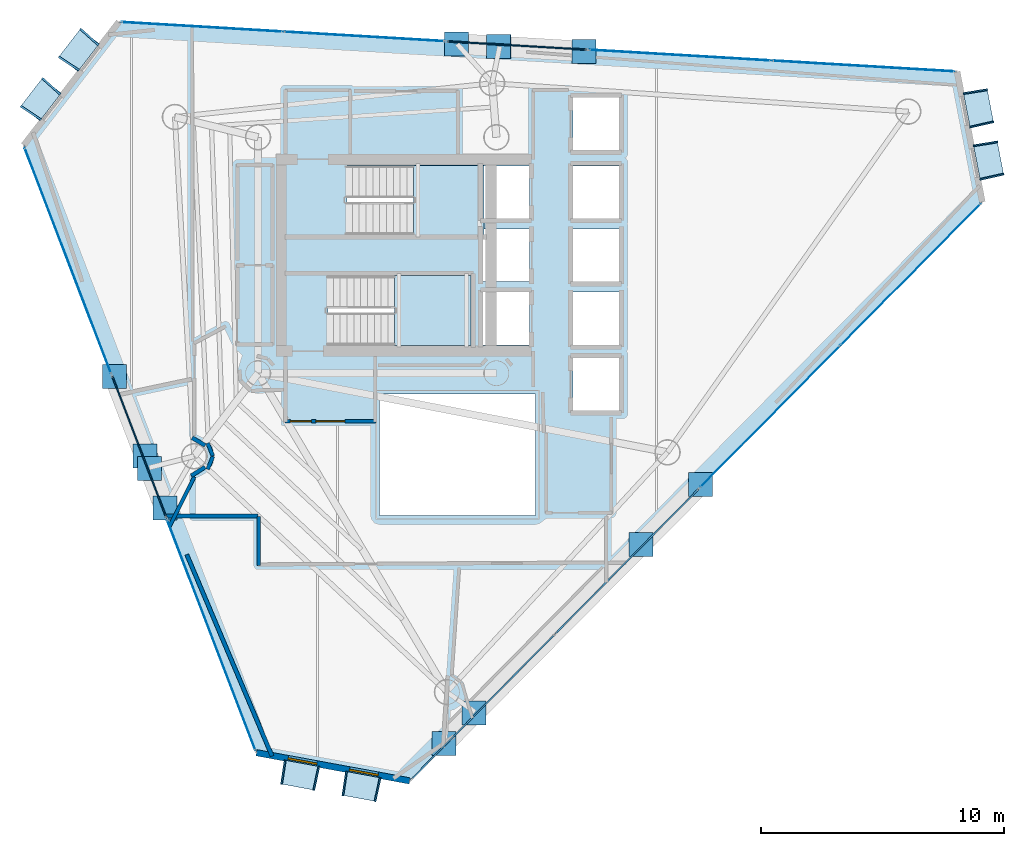
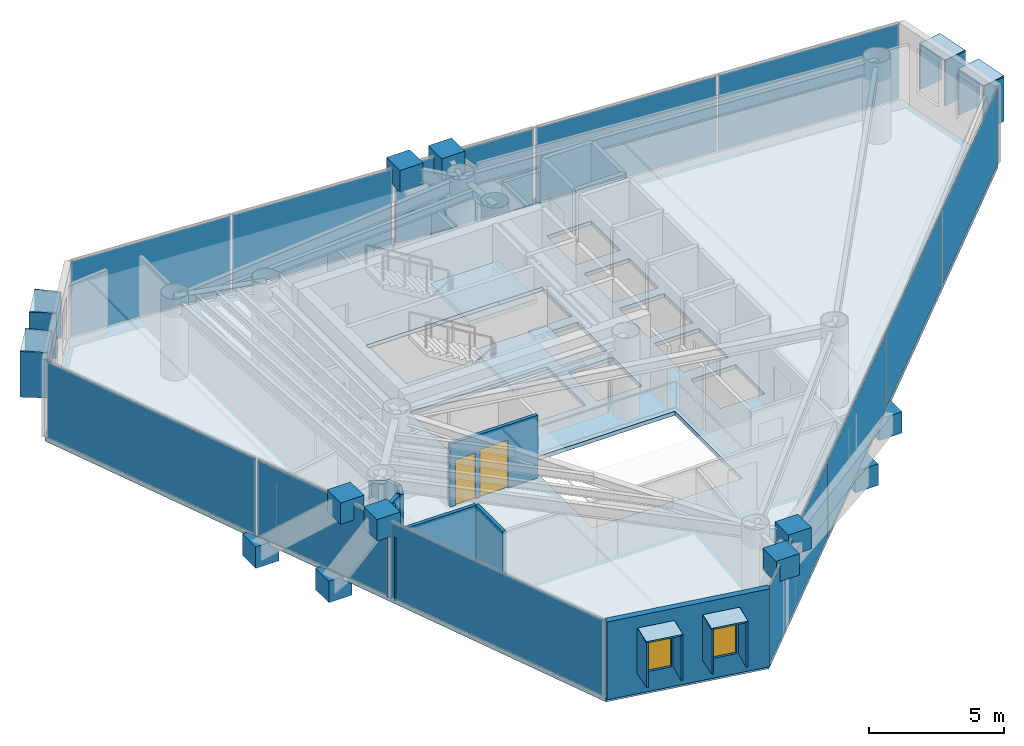
# One storey, part 15 of 20: 42 plates, 10 walls, 3 slabs, 2 doors, 2 windows, 4 openings, 10 elements without a shape of their own.
"""IFC4 building model written with IfcOpenShell, lengths in metres."""

from ifc_helpers import new_model, si_unit, direction, frame, frame_2d, origin, origin_2d, place, context, subcontext, project, spatial, polyline, rectangle, outline, extrude, material, layer, layer_set, type_object, element, fill, aggregate, save


model = new_model("IFC4")

# Units and contexts
model_context = context("Model", 3, precision=1e-05, world=origin(), true_north=direction((0.0, 1.0)))
body_context = subcontext(model_context, "Body", "Model", "MODEL_VIEW")
ifc_project = project(units=[si_unit("LENGTHUNIT", "METRE"), si_unit("AREAUNIT", "SQUARE_METRE"), si_unit("VOLUMEUNIT", "CUBIC_METRE"), si_unit("PLANEANGLEUNIT", "RADIAN"), si_unit("MASSUNIT", "GRAM", prefix="KILO")], contexts=[model_context])

# Site, building, storey
site_placement = place(None, origin())
site = spatial("IfcSite", under=ifc_project, at=site_placement, CompositionType="ELEMENT")
building_placement = place(site_placement, origin())
building = spatial("IfcBuilding", under=site, at=building_placement, Name="Qianvela Tower", CompositionType="ELEMENT")
storey_placement = place(building_placement, frame((0.0, 0.0, 239.0)))
storey = spatial("IfcBuildingStorey", under=building, at=storey_placement, Name="L61", CompositionType="ELEMENT", Elevation=239.0)

# Curtain wall, plate
ifc_material_1 = material(Name="Anodised Architectural Aluminium and Insulated Spandrel Panel", Category="aluminium")
ifc_layer_1 = layer(ifc_material_1, 0.179931640625)
ifc_layer_set_1 = layer_set([ifc_layer_1], Name="Anodised Architectural Aluminium and Insulated Spandrel Panel")
curtain_wall_type_1 = type_object("IfcCurtainWallType", Name="CW-BRACEBAY", PredefinedType="USERDEFINED", material=ifc_layer_set_1)
curtain_wall_1_placement = place(storey_placement, origin())
curtain_wall_1 = element("IfcCurtainWall", 1, at=curtain_wall_1_placement, inside=storey, type_object=curtain_wall_type_1, Name="L61 CW-BRACEBAY Curtain Wall 02B", ObjectType="CURTAIN_WALL_SYSTEM", PredefinedType="USERDEFINED")
ifc_material_2 = material(Name="Insulated Aluminium Spandrel Panel with Mineral-Wool Backpan", Category="aluminium")
ifc_layer_2 = layer(ifc_material_2, 0.06005859375)
ifc_layer_set_2 = layer_set([ifc_layer_2], Name="Insulated Aluminium Spandrel Panel with Mineral-Wool Backpan")
plate_type_1 = type_object("IfcPlateType", Name="CW-BRACEBAY-PNL", PredefinedType="CURTAIN_PANEL", material=ifc_layer_set_2)
plate_1_placement = place(storey_placement, frame((39.24462890625, 37.32275390625, 0.06494140625), z_axis=(0.0, 0.0, 1.0), x_axis=(-0.998246521909, 0.059193593372, 0.0)))
plate_1 = element("IfcPlate", 2, at=plate_1_placement, type_object=plate_type_1, Name="CW-9 panel 1.1", PredefinedType="CURTAIN_PANEL", context=body_context, shape_type="SweptSolid", body=[
    extrude(rectangle(XDim=5.699951171875, YDim=0.06005859375, at=origin_2d()), origin(), (0.0, 0.0, 1.0), 3.389892578125),
])
aggregate(curtain_wall_1, [plate_1])

curtain_wall_2_placement = place(storey_placement, origin())
curtain_wall_2 = element("IfcCurtainWall", 3, at=curtain_wall_2_placement, inside=storey, type_object=curtain_wall_type_1, Name="L61 CW-BRACEBAY Curtain Wall 04B", ObjectType="CURTAIN_WALL_SYSTEM", PredefinedType="USERDEFINED")
plate_2_placement = place(storey_placement, frame((23.713134765625, 20.833740234375, 0.06494140625), z_axis=(0.0, 0.0, 1.0), x_axis=(0.357712634135, -0.9338317147, 0.0)))
plate_2 = element("IfcPlate", 4, at=plate_2_placement, type_object=plate_type_1, Name="CW-9 panel 1.1", PredefinedType="CURTAIN_PANEL", context=body_context, shape_type="SweptSolid", body=[
    extrude(rectangle(XDim=6.199951171875, YDim=0.06005859375, at=origin_2d()), origin(), (0.0, 0.0, 1.0), 3.389892578125),
])
aggregate(curtain_wall_2, [plate_2])

# Curtain wall, plates
curtain_wall_3_placement = place(storey_placement, origin())
curtain_wall_3 = element("IfcCurtainWall", 5, at=curtain_wall_3_placement, inside=storey, type_object=curtain_wall_type_1, Name="L61 CW-BRACEBAY Curtain Wall 06A", ObjectType="CURTAIN_WALL_SYSTEM", PredefinedType="USERDEFINED")
plate_3_placement = place(storey_placement, frame((37.849853515625, 10.134033203125, 0.06494140625), z_axis=(0.0, 0.0, 1.0), x_axis=(0.703230682905, 0.71096174765, 0.0)))
plate_3 = element("IfcPlate", 6, at=plate_3_placement, type_object=plate_type_1, Name="CW-9 panel 1.1", PredefinedType="CURTAIN_PANEL", context=body_context, shape_type="SweptSolid", body=[
    extrude(rectangle(XDim=8.342529296875, YDim=0.06005859375, at=origin_2d()), origin(), (0.0, 0.0, 1.0), 3.389892578125),
])
plate_4_placement = place(storey_placement, frame((43.76220703125, 16.111572265625, 0.06494140625), z_axis=(0.0, 0.0, 1.0), x_axis=(0.703230682905, 0.71096174765, 0.0)))
plate_4 = element("IfcPlate", 7, at=plate_4_placement, type_object=plate_type_1, Name="CW-9 panel 2.1", PredefinedType="CURTAIN_PANEL", context=body_context, shape_type="SweptSolid", body=[
    extrude(rectangle(XDim=8.342529296875, YDim=0.06005859375, at=origin_2d()), origin(), (0.0, 0.0, 1.0), 3.389892578125),
])
aggregate(curtain_wall_3, [plate_3, plate_4])

ifc_material_3 = material(Name="Anodised Architectural Aluminium and Low-E Glass", Category="aluminium")
ifc_layer_3 = layer(ifc_material_3, 0.159912109375)
ifc_layer_set_3 = layer_set([ifc_layer_3], Name="Anodised Architectural Aluminium and Low-E Glass")
curtain_wall_type_2 = type_object("IfcCurtainWallType", Name="CW-COLIV-Z56", PredefinedType="USERDEFINED", material=ifc_layer_set_3)
curtain_wall_4_placement = place(storey_placement, origin())
curtain_wall_4 = element("IfcCurtainWall", 8, at=curtain_wall_4_placement, inside=storey, type_object=curtain_wall_type_2, Name="L61 CW-COLIV-Z56 Curtain Wall 02A", ObjectType="CURTAIN_WALL_SYSTEM", PredefinedType="USERDEFINED")
ifc_material_4 = material(Name="Double-Silver Low-E Insulated Glass", Category="glass")
ifc_layer_4 = layer(ifc_material_4, 0.028076171875)
ifc_layer_set_4 = layer_set([ifc_layer_4], Name="Double-Silver Low-E Insulated Glass")
plate_type_2 = type_object("IfcPlateType", Name="CW-COLIV-Z56-PNL", PredefinedType="CURTAIN_PANEL", material=ifc_layer_set_4)
plate_5_placement = place(storey_placement, frame((53.488525390625, 36.478271484375, 0.06005859375), z_axis=(0.0, 0.0, 1.0), x_axis=(-0.998247199473, 0.059182165757, 0.0)))
plate_5 = element("IfcPlate", 9, at=plate_5_placement, type_object=plate_type_2, Name="CW-5 panel 1.1", PredefinedType="CURTAIN_PANEL", context=body_context, shape_type="SweptSolid", body=[
    extrude(rectangle(XDim=7.482421875, YDim=0.028076171875, at=origin_2d()), origin(), (0.0, 0.0, 1.0), 3.39990234375),
])
plate_6_placement = place(storey_placement, frame((45.9541015625, 36.9248046875, 0.06005859375), z_axis=(0.0, 0.0, 1.0), x_axis=(-0.998247199473, 0.059182165757, 0.0)))
plate_6 = element("IfcPlate", 10, at=plate_6_placement, type_object=plate_type_2, Name="CW-5 panel 2.1", PredefinedType="CURTAIN_PANEL", context=body_context, shape_type="SweptSolid", body=[
    extrude(rectangle(XDim=7.482421875, YDim=0.028076171875, at=origin_2d()), origin(), (0.0, 0.0, 1.0), 3.39990234375),
])
aggregate(curtain_wall_4, [plate_5, plate_6])

curtain_wall_5_placement = place(storey_placement, origin())
curtain_wall_5 = element("IfcCurtainWall", 11, at=curtain_wall_5_placement, inside=storey, type_object=curtain_wall_type_2, Name="L61 CW-COLIV-Z56 Curtain Wall 02C", ObjectType="CURTAIN_WALL_SYSTEM", PredefinedType="USERDEFINED")
plate_7_placement = place(storey_placement, frame((32.9677734375, 37.69482421875, 0.06005859375), z_axis=(0.0, 0.0, 1.0), x_axis=(-0.998247327726, 0.059180002432, 0.0)))
plate_7 = element("IfcPlate", 12, at=plate_7_placement, type_object=plate_type_2, Name="CW-5 panel 1.1", PredefinedType="CURTAIN_PANEL", context=body_context, shape_type="SweptSolid", body=[
    extrude(rectangle(XDim=6.615966796875, YDim=0.028076171875, at=origin_2d()), origin(), (0.0, 0.0, 1.0), 3.39990234375),
])
plate_8_placement = place(storey_placement, frame((26.298583984375, 38.090087890625, 0.06005859375), z_axis=(0.0, 0.0, 1.0), x_axis=(-0.998247327726, 0.059180002432, 0.0)))
plate_8 = element("IfcPlate", 13, at=plate_8_placement, type_object=plate_type_2, Name="CW-5 panel 2.1", PredefinedType="CURTAIN_PANEL", context=body_context, shape_type="SweptSolid", body=[
    extrude(rectangle(XDim=6.615966796875, YDim=0.028076171875, at=origin_2d()), origin(), (0.0, 0.0, 1.0), 3.39990234375),
])
aggregate(curtain_wall_5, [plate_7, plate_8])

# Curtain wall, plate
curtain_wall_6_placement = place(storey_placement, origin())
curtain_wall_6 = element("IfcCurtainWall", 14, at=curtain_wall_6_placement, inside=storey, type_object=curtain_wall_type_2, Name="L61 CW-COLIV-Z56 Curtain Wall 04A", ObjectType="CURTAIN_WALL_SYSTEM", PredefinedType="USERDEFINED")
plate_9_placement = place(storey_placement, frame((20.783447265625, 28.481689453125, 0.06005859375), z_axis=(0.0, 0.0, 1.0), x_axis=(0.357720562482, -0.933828677637, 0.0)))
plate_9 = element("IfcPlate", 15, at=plate_9_placement, type_object=plate_type_2, Name="CW-5 panel 1.1", PredefinedType="CURTAIN_PANEL", context=body_context, shape_type="SweptSolid", body=[
    extrude(rectangle(XDim=9.919921875, YDim=0.028076171875, at=origin_2d()), origin(), (0.0, 0.0, 1.0), 3.39990234375),
])
aggregate(curtain_wall_6, [plate_9])

curtain_wall_7_placement = place(storey_placement, origin())
curtain_wall_7 = element("IfcCurtainWall", 16, at=curtain_wall_7_placement, inside=storey, type_object=curtain_wall_type_2, Name="L61 CW-COLIV-Z56 Curtain Wall 04C", ObjectType="CURTAIN_WALL_SYSTEM", PredefinedType="USERDEFINED")
plate_10_placement = place(storey_placement, frame((26.681396484375, 13.08544921875, 0.06005859375), z_axis=(0.0, 0.0, 1.0), x_axis=(0.357718127127, -0.933829610542, 0.0)))
plate_10 = element("IfcPlate", 17, at=plate_10_placement, type_object=plate_type_2, Name="CW-5 panel 1.1", PredefinedType="CURTAIN_PANEL", context=body_context, shape_type="SweptSolid", body=[
    extrude(rectangle(XDim=10.134521484375, YDim=0.028076171875, at=origin_2d()), origin(), (0.0, 0.0, 1.0), 3.39990234375),
])
aggregate(curtain_wall_7, [plate_10])

# Curtain wall, plates
curtain_wall_8_placement = place(storey_placement, origin())
curtain_wall_8 = element("IfcCurtainWall", 18, at=curtain_wall_8_placement, inside=storey, type_object=curtain_wall_type_2, Name="L61 CW-COLIV-Z56 Curtain Wall 06B", ObjectType="CURTAIN_WALL_SYSTEM", PredefinedType="USERDEFINED")
plate_11_placement = place(storey_placement, frame((49.652099609375, 22.06640625, 0.06005859375), z_axis=(0.0, 0.0, 1.0), x_axis=(0.703230911211, 0.710961521826, 0.0)))
plate_11 = element("IfcPlate", 19, at=plate_11_placement, type_object=plate_type_2, Name="CW-5 panel 1.1", PredefinedType="CURTAIN_PANEL", context=body_context, shape_type="SweptSolid", body=[
    extrude(rectangle(XDim=8.14892578125, YDim=0.028076171875, at=origin_2d()), origin(), (0.0, 0.0, 1.0), 3.39990234375),
])
plate_12_placement = place(storey_placement, frame((55.428466796875, 27.906005859375, 0.06005859375), z_axis=(0.0, 0.0, 1.0), x_axis=(0.703230911211, 0.710961521826, 0.0)))
plate_12 = element("IfcPlate", 20, at=plate_12_placement, type_object=plate_type_2, Name="CW-5 panel 2.1", PredefinedType="CURTAIN_PANEL", context=body_context, shape_type="SweptSolid", body=[
    extrude(rectangle(XDim=8.14892578125, YDim=0.028076171875, at=origin_2d()), origin(), (0.0, 0.0, 1.0), 3.39990234375),
])
aggregate(curtain_wall_8, [plate_11, plate_12])

# Plates
ifc_material_5 = material(Name="Steel Q420GJC", Category="steel")
ifc_layer_5 = layer(ifc_material_5, 0.1298828125)
ifc_layer_set_5 = layer_set([ifc_layer_5], Name="Steel Q420GJC")
plate_type_3 = type_object("IfcPlateType", Name="PT-ENDCAP-130", PredefinedType="USERDEFINED", material=ifc_layer_set_5)
for number, where, z_axis, x_axis, name in (
    (21, (42.000732421875, 37.0791015625, -1.0107421875), (0.0, 0.0, 1.0), (1.0, 0.0, 0.0), "L61 Hollow Section End Cap Plate A"),
    (22, (38.494384765625, 37.287109375, 2.77685546875), (0.0, 0.0, 1.0), (1.0, 0.0, 0.0), "L61 Hollow Section End Cap Plate B"),
    (23, (38.51416015625, 37.285888671875, -1.021484375), (0.0, 0.0, 1.0), (1.0, 0.0, 0.0), "L61 Hollow Section End Cap Plate A"),
    (24, (36.760498046875, 37.389892578125, 2.78759765625), (0.0, 0.0, 1.0), (1.0, 0.0, 0.0), "L61 Hollow Section End Cap Plate B"),
    (25, (22.696533203125, 23.711181640625, -1.0078125), (0.0, 0.0, 1.0), (1.0, 0.0, 0.0), "L61 Hollow Section End Cap Plate A"),
    (26, (24.146484375, 19.92626953125, 2.77392578125), (0.0, 0.0, 1.0), (1.0, 0.0, 0.0), "L61 Hollow Section End Cap Plate B"),
    (27, (23.945068359375, 20.451904296875, -1.01806640625), (0.0, 0.0, 1.0), (1.0, 0.0, 0.0), "L61 Hollow Section End Cap Plate A"),
    (28, (24.768798828125, 18.3017578125, 2.7841796875), (0.0, 0.0, 1.0), (1.0, 0.0, 0.0), "L61 Hollow Section End Cap Plate B"),
    (29, (44.3408203125, 16.810302734375, -0.9853515625), (0.0, 0.0, 1.0), (1.0, 0.0, 0.0), "L61 Hollow Section End Cap Plate A"),
    (30, (36.24658203125, 8.627197265625, 2.75146484375), (0.0, 0.0, 1.0), (1.0, 0.0, 0.0), "L61 Hollow Section End Cap Plate B"),
    (31, (46.78662109375, 19.283203125, -0.9833984375), (0.0, 0.0, 1.0), (1.0, 0.0, 0.0), "L61 Hollow Section End Cap Plate A"),
    (32, (37.478515625, 9.87255859375, 2.74951171875), (0.0, 0.0, 1.0), (1.0, 0.0, 0.0), "L61 Hollow Section End Cap Plate B"),
):
    element("IfcPlate", number, at=place(storey_placement, frame(where, z_axis=z_axis, x_axis=x_axis)), inside=storey, type_object=plate_type_3, Name=name, ObjectType="END_CAP", PredefinedType="USERDEFINED", context=body_context, shape_type="SweptSolid", body=[
        extrude(rectangle(XDim=0.989990234375, YDim=0.989990234375, at=origin_2d()), origin(), (0.0, 0.0, 1.0), 0.969970703125),
    ])

# Slab
ifc_material_6 = material(Name="Concrete C40", Category="concrete")
ifc_layer_6 = layer(ifc_material_6, 0.179931640625)
ifc_layer_set_6 = layer_set([ifc_layer_6], Name="Concrete C40")
slab_type_1 = type_object("IfcSlabType", Name="SL-FLOOR-180", PredefinedType="FLOOR", material=ifc_layer_set_6)
slab_1_placement = place(storey_placement, frame((0.0, 0.0, -0.179931640625)))
element("IfcSlab", 33, at=slab_1_placement, inside=storey, type_object=slab_type_1, Name="L61 Composite Structural Floor Slab", PredefinedType="FLOOR", context=body_context, shape_type="SweptSolid", body=[
    extrude(outline(polyline([(58.374755859375, 30.884521484375), (57.337890625, 36.25), (22.881591796875, 38.292724609375), (18.968017578125, 33.220947265625), (28.53515625, 8.24609375), (34.83544921875, 7.0869140625), (58.374755859375, 30.884521484375)]), holes=[polyline([(40.0, 23.0), (33.60009765625, 23.0), (33.60009765625, 18.0), (40.0, 18.0), (40.0, 23.0)]), polyline([(39.760009765625, 27.179931640625), (37.840087890625, 27.179931640625), (37.840087890625, 25.02001953125), (39.760009765625, 25.02001953125), (39.760009765625, 27.179931640625)]), polyline([(37.35009765625, 27.860107421875), (31.469970703125, 27.860107421875), (31.469970703125, 25.0), (37.35009765625, 25.0), (37.35009765625, 27.860107421875)]), polyline([(37.840087890625, 27.6201171875), (39.760009765625, 27.6201171875), (39.760009765625, 29.780029296875), (37.89990234375, 29.780029296875), (37.89990234375, 30.219970703125), (39.760009765625, 30.219970703125), (39.760009765625, 32.3798828125), (37.89990234375, 32.3798828125), (37.89990234375, 32.39990234375), (32.25, 32.39990234375), (32.25, 29.5400390625), (37.840087890625, 29.5400390625), (37.840087890625, 27.6201171875)]), polyline([(43.4599609375, 22.320068359375), (43.4599609375, 24.47998046875), (41.5400390625, 24.47998046875), (41.5400390625, 22.320068359375), (43.4599609375, 22.320068359375)]), polyline([(43.4599609375, 25.02001953125), (43.4599609375, 27.179931640625), (41.5400390625, 27.179931640625), (41.5400390625, 25.02001953125), (43.4599609375, 25.02001953125)]), polyline([(43.4599609375, 29.780029296875), (41.5400390625, 29.780029296875), (41.5400390625, 27.6201171875), (43.4599609375, 27.6201171875), (43.4599609375, 29.780029296875)]), polyline([(43.4599609375, 30.219970703125), (43.4599609375, 32.3798828125), (41.5400390625, 32.3798828125), (41.5400390625, 30.219970703125), (43.4599609375, 30.219970703125)]), polyline([(43.4599609375, 33.02001953125), (43.4599609375, 35.179931640625), (41.5400390625, 35.179931640625), (41.5400390625, 33.02001953125), (43.4599609375, 33.02001953125)])]), origin(), (0.0, 0.0, 1.0), 0.179931640625),
])

# Stair, slab
ifc_material_7 = material(Name="Concrete C40", Category="concrete")
stair_type = type_object("IfcStairType", Name="ST-DOGLEG-1350-R168-N22", PredefinedType="HALF_TURN_STAIR", material=ifc_material_7)
stair_1_placement = place(storey_placement, origin())
stair_1 = element("IfcStair", 34, at=stair_1_placement, inside=storey, type_object=stair_type, Name="L61 Smoke-Proof Core Stair ST-1", PredefinedType="HALF_TURN_STAIR")
ifc_material_8 = material(Name="Concrete C40", Category="concrete")
ifc_layer_7 = layer(ifc_material_8, 0.199951171875)
ifc_layer_set_7 = layer_set([ifc_layer_7], Name="Concrete C40")
slab_type_2 = type_object("IfcSlabType", Name="SL-STAIR-LANDING-200", PredefinedType="LANDING", material=ifc_layer_set_7)
slab_2_placement = place(storey_placement, frame((0.0, 0.0, 1.64990234375)))
slab_2 = element("IfcSlab", 35, at=slab_2_placement, type_object=slab_type_2, Name="ST-1 landing 1", PredefinedType="LANDING", context=body_context, shape_type="SweptSolid", body=[
    extrude(outline(polyline([(35.0, 29.5400390625), (37.89990234375, 29.5400390625), (37.89990234375, 32.39990234375), (35.0, 32.39990234375), (35.0, 29.5400390625)])), origin(), (0.0, 0.0, 1.0), 0.2001953125),
])
aggregate(stair_1, [slab_2])

stair_2_placement = place(storey_placement, origin())
stair_2 = element("IfcStair", 36, at=stair_2_placement, inside=storey, type_object=stair_type, Name="L61 Smoke-Proof Core Stair ST-2", PredefinedType="HALF_TURN_STAIR")
slab_3_placement = place(storey_placement, frame((0.0, 0.0, 1.64990234375)))
slab_3 = element("IfcSlab", 37, at=slab_3_placement, type_object=slab_type_2, Name="ST-2 landing 1", PredefinedType="LANDING", context=body_context, shape_type="SweptSolid", body=[
    extrude(outline(polyline([(34.219970703125, 25.0), (37.35009765625, 25.0), (37.35009765625, 27.860107421875), (34.219970703125, 27.860107421875), (34.219970703125, 25.0)])), origin(), (0.0, 0.0, 1.0), 0.2001953125),
])
aggregate(stair_2, [slab_3])

# Plates
ifc_material_9 = material(Name="Vitrified Architectural Terracotta Panel", Category="masonry")
ifc_layer_8 = layer(ifc_material_9, 0.06494140625)
ifc_layer_set_8 = layer_set([ifc_layer_8], Name="Vitrified Architectural Terracotta Panel")
plate_type_4 = type_object("IfcPlateType", Name="TERRACOTTA-SUNSHADE-HOOD-FOLD-B", PredefinedType="USERDEFINED", material=ifc_layer_set_8)
for number, where, z_axis, x_axis, name in (
    (38, (58.637939453125, 32.605224609375, 2.909912109375), (0.0, 0.0, 1.0), (-0.189731238413, 0.981836064305, 0.0), "L61 Terracotta Sunshade Hood FOLD-B"),
    (39, (58.223388671875, 34.751220703125, 2.909912109375), (0.0, 0.0, 1.0), (-0.189731238413, 0.981836064305, 0.0), "L61 Terracotta Sunshade Hood FOLD-B"),
    (40, (30.3193359375, 7.322998046875, 2.909912109375), (0.0, 0.0, 1.0), (0.983489452557, -0.180965457224, 0.0), "L61 Terracotta Sunshade Hood FOLD-B"),
    (41, (32.839599609375, 6.859130859375, 2.909912109375), (0.0, 0.0, 1.0), (0.983489452557, -0.180965457224, 0.0), "L61 Terracotta Sunshade Hood FOLD-B"),
):
    element("IfcPlate", number, at=place(storey_placement, frame(where, z_axis=z_axis, x_axis=x_axis)), inside=storey, type_object=plate_type_4, Name=name, ObjectType="SUNSHADE", PredefinedType="USERDEFINED", context=body_context, shape_type="SweptSolid", body=[
        extrude(rectangle(XDim=1.43994140625, YDim=0.989990234375, at=origin_2d()), origin(), (0.0, 0.0, 1.0), 0.06005859375),
    ])
ifc_material_10 = material(Name="Vitrified Architectural Terracotta Panel", Category="masonry")
ifc_layer_9 = layer(ifc_material_10, 0.074951171875)
ifc_layer_set_9 = layer_set([ifc_layer_9], Name="Vitrified Architectural Terracotta Panel")
plate_type_5 = type_object("IfcPlateType", Name="TERRACOTTA-SUNSHADE-HOOD-FOLD-D", PredefinedType="USERDEFINED", material=ifc_layer_set_9)
for number, where, z_axis, x_axis, name in (
    (42, (21.244384765625, 37.128662109375, 2.909912109375), (0.0, 0.0, 1.0), (-0.6108902264, -0.791715309495, 0.0), "L61 Terracotta Sunshade Hood FOLD-D"),
    (43, (19.678955078125, 35.099853515625, 2.909912109375), (0.0, 0.0, 1.0), (-0.6108902264, -0.791715309495, 0.0), "L61 Terracotta Sunshade Hood FOLD-D"),
):
    element("IfcPlate", number, at=place(storey_placement, frame(where, z_axis=z_axis, x_axis=x_axis)), inside=storey, type_object=plate_type_5, Name=name, ObjectType="SUNSHADE", PredefinedType="USERDEFINED", context=body_context, shape_type="SweptSolid", body=[
        extrude(rectangle(XDim=1.43994140625, YDim=0.989990234375, at=origin_2d()), origin(), (0.0, 0.0, 1.0), 0.06005859375),
    ])
ifc_material_11 = material(Name="Vitrified Architectural Terracotta Side Fin Panel", Category="masonry")
ifc_layer_10 = layer(ifc_material_11, 0.070068359375)
ifc_layer_set_10 = layer_set([ifc_layer_10], Name="Vitrified Architectural Terracotta Side Fin Panel")
plate_type_6 = type_object("IfcPlateType", Name="TERRACOTTA-SUNSHADE-STRUT-FOLD-B", PredefinedType="USERDEFINED", material=ifc_layer_set_10)
for number, where, z_axis, x_axis, name in (
    (44, (58.768798828125, 31.927734375, 0.89990234375), (0.0, 0.0, 1.0), (-0.219626559645, 0.975584017037, 0.0), "L61 Terracotta Sunshade Side Fin HL FOLD-B"),
    (45, (58.507080078125, 33.28271484375, 0.89990234375), (0.0, 0.0, 1.0), (-0.159658932405, 0.987172236899, 0.0), "L61 Terracotta Sunshade Side Fin HR FOLD-B"),
    (46, (58.354248046875, 34.07373046875, 0.89990234375), (0.0, 0.0, 1.0), (-0.219626559645, 0.975584017037, 0.0), "L61 Terracotta Sunshade Side Fin HL FOLD-B"),
    (47, (58.09228515625, 35.4287109375, 0.89990234375), (0.0, 0.0, 1.0), (-0.159658932405, 0.987172236899, 0.0), "L61 Terracotta Sunshade Side Fin HR FOLD-B"),
    (48, (29.640625, 7.44775390625, 0.89990234375), (0.0, 0.0, 1.0), (0.988557160071, -0.150846747638, 0.0), "L61 Terracotta Sunshade Side Fin HL FOLD-B"),
    (49, (30.998046875, 7.197998046875, 0.89990234375), (0.0, 0.0, 1.0), (0.977504328059, -0.210915358915, 0.0), "L61 Terracotta Sunshade Side Fin HR FOLD-B"),
    (50, (32.160888671875, 6.984130859375, 0.89990234375), (0.0, 0.0, 1.0), (0.988557160071, -0.150846747638, 0.0), "L61 Terracotta Sunshade Side Fin HL FOLD-B"),
    (51, (33.51806640625, 6.734375, 0.89990234375), (0.0, 0.0, 1.0), (0.977504328059, -0.210915358915, 0.0), "L61 Terracotta Sunshade Side Fin HR FOLD-B"),
):
    element("IfcPlate", number, at=place(storey_placement, frame(where, z_axis=z_axis, x_axis=x_axis)), inside=storey, type_object=plate_type_6, Name=name, ObjectType="SUNSHADE", PredefinedType="USERDEFINED", context=body_context, shape_type="SweptSolid", body=[
        extrude(rectangle(XDim=0.070068359375, YDim=1.010009765625, at=origin_2d()), origin(), (0.0, 0.0, 1.0), 2.06005859375),
    ])
ifc_material_12 = material(Name="Vitrified Architectural Terracotta Side Fin Panel", Category="masonry")
ifc_layer_11 = layer(ifc_material_12, 0.080078125)
ifc_layer_set_11 = layer_set([ifc_layer_11], Name="Vitrified Architectural Terracotta Side Fin Panel")
plate_type_7 = type_object("IfcPlateType", Name="TERRACOTTA-SUNSHADE-STRUT-FOLD-D", PredefinedType="USERDEFINED", material=ifc_layer_set_11)
for number, where, z_axis, x_axis, name in (
    (52, (21.666015625, 37.6748046875, 0.89990234375), (0.0, 0.0, 1.0), (-0.667883217604, -0.744266086587, 0.0), "L61 Terracotta Sunshade Side Fin HL FOLD-D"),
    (53, (20.822998046875, 36.582275390625, 0.89990234375), (0.0, 0.0, 1.0), (-0.550537565101, -0.834810391294, 0.0), "L61 Terracotta Sunshade Side Fin HR FOLD-D"),
    (54, (20.1005859375, 35.64599609375, 0.89990234375), (0.0, 0.0, 1.0), (-0.667883217604, -0.744266086587, 0.0), "L61 Terracotta Sunshade Side Fin HL FOLD-D"),
    (55, (19.257568359375, 34.5537109375, 0.89990234375), (0.0, 0.0, 1.0), (-0.550537565101, -0.834810391294, 0.0), "L61 Terracotta Sunshade Side Fin HR FOLD-D"),
):
    element("IfcPlate", number, at=place(storey_placement, frame(where, z_axis=z_axis, x_axis=x_axis)), inside=storey, type_object=plate_type_7, Name=name, ObjectType="SUNSHADE", PredefinedType="USERDEFINED", context=body_context, shape_type="SweptSolid", body=[
        extrude(rectangle(XDim=0.080078125, YDim=1.010009765625, at=origin_2d()), origin(), (0.0, 0.0, 1.0), 2.06005859375),
    ])

# Wall, openings, windows
ifc_material_13 = material(Name="Terracotta Cladding on Concrete C40", Category="masonry")
ifc_layer_12 = layer(ifc_material_13, 0.260009765625)
ifc_layer_set_12 = layer_set([ifc_layer_12], Name="Terracotta Cladding on Concrete C40")
wall_type_1 = type_object("IfcWallType", Name="TERRACOTTA-WALL-260", PredefinedType="SOLIDWALL", material=ifc_layer_set_12)
wall_1_placement = place(storey_placement, frame((28.53515625, 8.24609375, 0.0), z_axis=(0.0, 0.0, 1.0), x_axis=(0.983492119214, -0.180950964196, 0.0)))
wall_1 = element("IfcWall", 56, at=wall_1_placement, inside=storey, type_object=wall_type_1, Name="L61 Terracotta Chamfer Facet Wall 5", PredefinedType="SOLIDWALL", context=body_context, shape_type="SweptSolid", body=[
    extrude(rectangle(XDim=6.406005859375, YDim=0.260009765625, at=frame_2d((3.203125, 0.0))), origin(), (0.0, 0.0, 1.0), 3.52001953125),
])
opening_1_placement = place(wall_1_placement, frame((1.322021484375, 0.0, 0.89990234375)))
opening_1 = element("IfcOpeningElement", 57, at=opening_1_placement, cuts=wall_1, Name="Opening W-03", PredefinedType="OPENING", context=body_context, shape_type="SweptSolid", body=[
    extrude(rectangle(XDim=1.199951171875, YDim=2.0, at=frame_2d((0.60009765625, 1.0))), frame((0.0, 0.139892578125, 0.0), z_axis=(0.0, -1.0, 0.0), x_axis=(1.0, 0.0, 0.0)), (0.0, 0.0, 1.0), 0.280029296875),
])
opening_2_placement = place(wall_1_placement, frame((3.88427734375, 0.0, 0.89990234375)))
opening_2 = element("IfcOpeningElement", 58, at=opening_2_placement, cuts=wall_1, Name="Opening W-03", PredefinedType="OPENING", context=body_context, shape_type="SweptSolid", body=[
    extrude(rectangle(XDim=1.199951171875, YDim=2.0, at=frame_2d((0.60009765625, 1.0))), frame((0.0, 0.139892578125, 0.0), z_axis=(0.0, -1.0, 0.0), x_axis=(1.0, 0.0, 0.0)), (0.0, 0.0, 1.0), 0.280029296875),
])
ifc_material_14 = material(Name="Thermally Broken Aluminium and Low-E Glass", Category="aluminium")
window_type = type_object("IfcWindowType", Name="WIN-TC-1200x2000", PartitioningType="SINGLE_PANEL", PredefinedType="WINDOW", material=ifc_material_14)
window_1_placement = place(opening_1_placement, origin())
window_1 = element("IfcWindow", 59, at=window_1_placement, inside=storey, type_object=window_type, Name="L61 Chamfer Facet Window 5.1", OverallHeight=2.0, OverallWidth=1.199951171875, PartitioningType="SINGLE_PANEL", PredefinedType="WINDOW", context=body_context, shape_type="SweptSolid", body=[
    extrude(rectangle(XDim=1.199951171875, YDim=2.0, at=frame_2d((0.60009765625, 1.0))), frame((0.0, 0.030029296875, 0.0), z_axis=(0.0, -1.0, 0.0), x_axis=(1.0, 0.0, 0.0)), (0.0, 0.0, 1.0), 0.06005859375),
])
fill(opening_1, window_1)
window_2_placement = place(opening_2_placement, origin())
window_2 = element("IfcWindow", 60, at=window_2_placement, inside=storey, type_object=window_type, Name="L61 Chamfer Facet Window 5.2", OverallHeight=2.0, OverallWidth=1.199951171875, PartitioningType="SINGLE_PANEL", PredefinedType="WINDOW", context=body_context, shape_type="SweptSolid", body=[
    extrude(rectangle(XDim=1.199951171875, YDim=2.0, at=frame_2d((0.60009765625, 1.0))), frame((0.0, 0.030029296875, 0.0), z_axis=(0.0, -1.0, 0.0), x_axis=(1.0, 0.0, 0.0)), (0.0, 0.0, 1.0), 0.06005859375),
])
fill(opening_2, window_2)

# Wall, openings, doors
ifc_material_15 = material(Name="Fire-Rated Acoustic Gypsum Board")
ifc_layer_13 = layer(ifc_material_15, 0.14990234375)
ifc_layer_set_13 = layer_set([ifc_layer_13], Name="Fire-Rated Acoustic Gypsum Board")
wall_type_2 = type_object("IfcWallType", Name="WT-CORR-150", PredefinedType="PARTITIONING", material=ifc_layer_set_13)
wall_2_placement = place(storey_placement, frame((33.449951171875, 21.881103515625, 0.0), z_axis=(0.0, 0.0, 1.0), x_axis=(-1.0, 0.0, 0.0)))
wall_2 = element("IfcWall", 61, at=wall_2_placement, inside=storey, type_object=wall_type_2, Name="L61 Partition 5", PredefinedType="PARTITIONING", context=body_context, shape_type="SweptSolid", body=[
    extrude(rectangle(XDim=3.75, YDim=0.14990234375, at=frame_2d((1.875, 0.0))), origin(), (0.0, 0.0, 1.0), 2.840087890625),
])
opening_3_placement = place(wall_2_placement, frame((1.27490234375, 0.0, 0.0)))
opening_3 = element("IfcOpeningElement", 62, at=opening_3_placement, cuts=wall_2, Name="Opening D-LB1", PredefinedType="OPENING", context=body_context, shape_type="SweptSolid", body=[
    extrude(rectangle(XDim=1.199951171875, YDim=2.14990234375, at=frame_2d((0.60009765625, 1.074951171875))), frame((0.0, 0.0849609375, 0.0), z_axis=(0.0, -1.0, 0.0), x_axis=(1.0, 0.0, 0.0)), (0.0, 0.0, 1.0), 0.169921875),
])
opening_4_placement = place(wall_2_placement, frame((2.659912109375, 0.0, 0.0)))
opening_4 = element("IfcOpeningElement", 63, at=opening_4_placement, cuts=wall_2, Name="Opening D-LB2", PredefinedType="OPENING", context=body_context, shape_type="SweptSolid", body=[
    extrude(rectangle(XDim=0.860107421875, YDim=2.050048828125, at=frame_2d((0.43017578125, 1.02490234375))), frame((0.0, 0.0849609375, 0.0), z_axis=(0.0, -1.0, 0.0), x_axis=(1.0, 0.0, 0.0)), (0.0, 0.0, 1.0), 0.169921875),
])
ifc_material_16 = material(Name="Glazed Fire-Rated Steel Frame", Category="steel")
door_type_1 = type_object("IfcDoorType", Name="DT-LOBBY-FD90", OperationType="NOTDEFINED", PredefinedType="DOOR", material=ifc_material_16)
door_1_placement = place(opening_3_placement, origin())
door_1 = element("IfcDoor", 64, at=door_1_placement, inside=storey, type_object=door_type_1, Name="L61 Door L61 Firefighting Lobby South to L61 Floor Corridor", OperationType="SINGLE_SWING_LEFT", OverallHeight=2.14990234375, OverallWidth=1.199951171875, PredefinedType="DOOR", context=body_context, shape_type="SweptSolid", body=[
    extrude(rectangle(XDim=1.199951171875, YDim=2.14990234375, at=frame_2d((0.60009765625, 1.074951171875))), frame((0.0, 0.02490234375, 0.0), z_axis=(0.0, -1.0, 0.0), x_axis=(1.0, 0.0, 0.0)), (0.0, 0.0, 1.0), 0.050048828125),
])
fill(opening_3, door_1)
ifc_material_17 = material(Name="Insulated Steel Fire Door Q355B", Category="steel")
door_type_2 = type_object("IfcDoorType", Name="DT-LOBBY-FD90-860", OperationType="NOTDEFINED", PredefinedType="DOOR", material=ifc_material_17)
door_2_placement = place(opening_4_placement, origin())
door_2 = element("IfcDoor", 65, at=door_2_placement, inside=storey, type_object=door_type_2, Name="L61 Door L61 Firefighting Lobby South to L61 Floor Corridor", OperationType="SINGLE_SWING_RIGHT", OverallHeight=2.050048828125, OverallWidth=0.860107421875, PredefinedType="DOOR", context=body_context, shape_type="SweptSolid", body=[
    extrude(rectangle(XDim=0.860107421875, YDim=2.050048828125, at=frame_2d((0.43017578125, 1.02490234375))), frame((0.0, 0.02490234375, 0.0), z_axis=(0.0, -1.0, 0.0), x_axis=(1.0, 0.0, 0.0)), (0.0, 0.0, 1.0), 0.050048828125),
])
fill(opening_4, door_2)

# Walls
wall_3_placement = place(storey_placement, frame((28.631103515625, 15.949951171875, 0.0), z_axis=(0.0, 0.0, 1.0), x_axis=(0.0, 1.0, 0.0)))
element("IfcWall", 66, at=wall_3_placement, inside=storey, type_object=wall_type_2, Name="L61 Partition 58", PredefinedType="PARTITIONING", context=body_context, shape_type="SweptSolid", body=[
    extrude(rectangle(XDim=2.0, YDim=0.14990234375, at=frame_2d((1.0, 0.0))), origin(), (0.0, 0.0, 1.0), 2.840087890625),
])
wall_4_placement = place(storey_placement, frame((28.60009765625, 17.98095703125, 0.0), z_axis=(0.0, 0.0, 1.0), x_axis=(-1.0, 0.0, 0.0)))
element("IfcWall", 67, at=wall_4_placement, inside=storey, type_object=wall_type_2, Name="L61 Partition 59", PredefinedType="PARTITIONING", context=body_context, shape_type="SweptSolid", body=[
    extrude(rectangle(XDim=3.814208984375, YDim=0.14990234375, at=frame_2d((1.9072265625, 0.0))), origin(), (0.0, 0.0, 1.0), 2.840087890625),
])
wall_5_placement = place(storey_placement, frame((24.966796875, 17.5615234375, 0.0), z_axis=(0.0, 0.0, 1.0), x_axis=(0.448119529696, 0.893973650118, 0.0)))
element("IfcWall", 68, at=wall_5_placement, inside=storey, type_object=wall_type_2, Name="L61 Partition 60", PredefinedType="PARTITIONING", context=body_context, shape_type="SweptSolid", body=[
    extrude(rectangle(XDim=2.26318359375, YDim=0.14990234375, at=frame_2d((1.131591796875, 0.0))), origin(), (0.0, 0.0, 1.0), 2.840087890625),
])
wall_6_placement = place(storey_placement, frame((26.52734375, 19.898193359375, 0.0), z_axis=(0.0, 0.0, 1.0), x_axis=(0.382729887879, 0.923860288639, 0.0)))
element("IfcWall", 69, at=wall_6_placement, inside=storey, type_object=wall_type_2, Name="L61 Partition 61", PredefinedType="PARTITIONING", context=body_context, shape_type="SweptSolid", body=[
    extrude(rectangle(XDim=0.5703125, YDim=0.14990234375, at=frame_2d((0.28515625, 0.0))), origin(), (0.0, 0.0, 1.0), 2.840087890625),
])
wall_7_placement = place(storey_placement, frame((26.74560546875, 20.448974609375, 0.0), z_axis=(0.0, 0.0, 1.0), x_axis=(-0.382881317414, 0.923797541009, 0.0)))
element("IfcWall", 70, at=wall_7_placement, inside=storey, type_object=wall_type_2, Name="L61 Partition 62", PredefinedType="PARTITIONING", context=body_context, shape_type="SweptSolid", body=[
    extrude(rectangle(XDim=0.570068359375, YDim=0.14990234375, at=frame_2d((0.28515625, 0.0))), origin(), (0.0, 0.0, 1.0), 2.840087890625),
])
ifc_material_18 = material(Name="Sanitary Service Chase Partition")
ifc_layer_14 = layer(ifc_material_18, 0.1650390625)
ifc_layer_set_14 = layer_set([ifc_layer_14], Name="Sanitary Service Chase Partition")
wall_type_3 = type_object("IfcWallType", Name="WT-PLUMB-165", PredefinedType="PLUMBINGWALL", material=ifc_layer_set_14)
wall_8_placement = place(storey_placement, frame((25.889892578125, 21.1962890625, 0.0), z_axis=(0.0, 0.0, 1.0), x_axis=(0.861480264841, -0.507791052785, 0.0)))
element("IfcWall", 71, at=wall_8_placement, inside=storey, type_object=wall_type_3, Name="L61 Partition 102", PredefinedType="PLUMBINGWALL", context=body_context, shape_type="SweptSolid", body=[
    extrude(rectangle(XDim=0.62255859375, YDim=0.1650390625, at=frame_2d((0.311279296875, 0.0))), origin(), (0.0, 0.0, 1.0), 2.840087890625),
])
wall_9_placement = place(storey_placement, frame((26.42236328125, 19.99072265625, 0.0), z_axis=(0.0, 0.0, 1.0), x_axis=(-0.84577514661, -0.533539503108, 0.0)))
element("IfcWall", 72, at=wall_9_placement, inside=storey, type_object=wall_type_3, Name="L61 Partition 105", PredefinedType="PLUMBINGWALL", context=body_context, shape_type="SweptSolid", body=[
    extrude(rectangle(XDim=0.66845703125, YDim=0.1650390625, at=frame_2d((0.334228515625, 0.0))), origin(), (0.0, 0.0, 1.0), 2.840087890625),
])
wall_10_placement = place(storey_placement, frame((29.177001953125, 8.110595703125, 0.0), z_axis=(0.0, 0.0, 1.0), x_axis=(-0.389794064953, 0.920902050669, 0.0)))
element("IfcWall", 73, at=wall_10_placement, inside=storey, type_object=wall_type_3, Name="L61 Partition 113 seg 1", PredefinedType="PLUMBINGWALL", context=body_context, shape_type="SweptSolid", body=[
    extrude(rectangle(XDim=8.994140625, YDim=0.1650390625, at=frame_2d((4.4970703125, 0.0))), origin(), (0.0, 0.0, 1.0), 2.840087890625),
])

save(model, "model.ifc")
